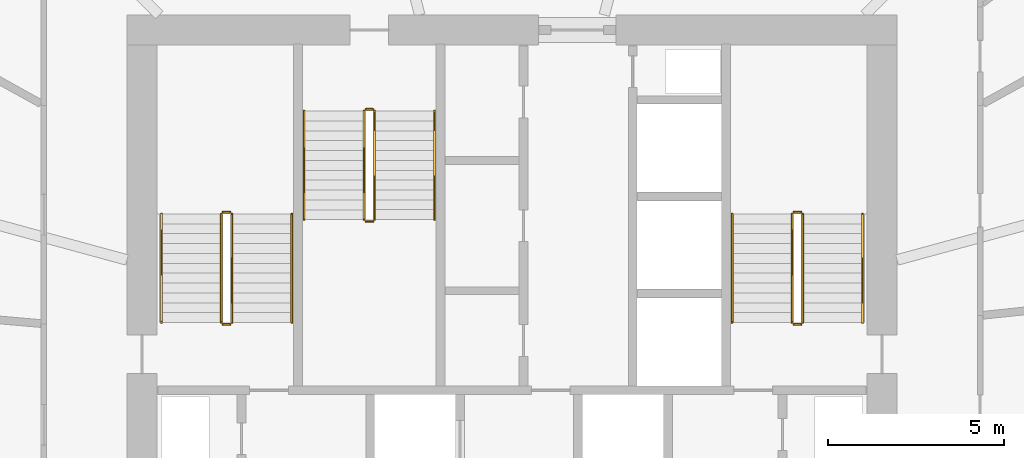
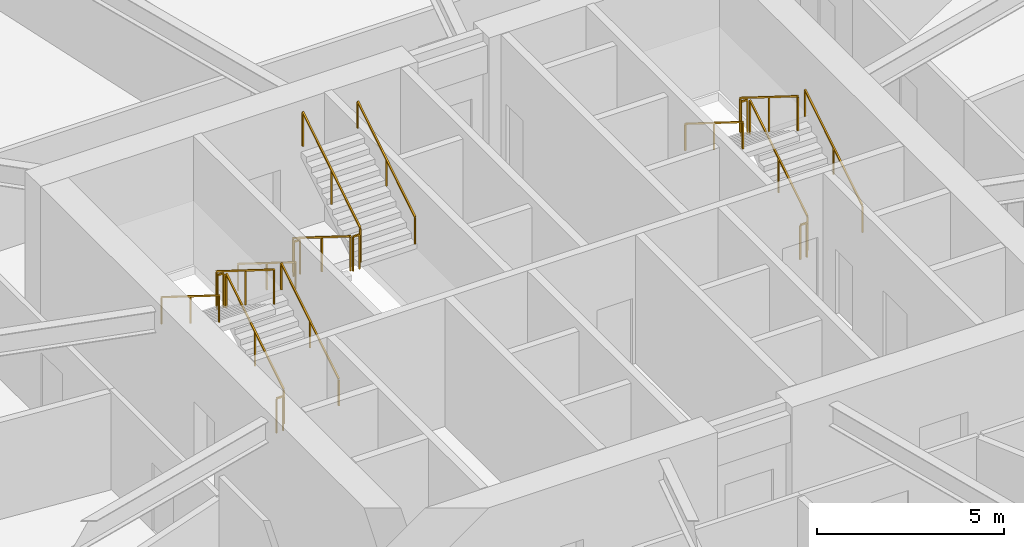
# One storey, part 25 of 25: 18 railings.
"""IFC4 building model written with IfcOpenShell, lengths in metres."""

from ifc_helpers import new_model, si_unit, direction, frame, origin, origin_2d, place, context, subcontext, project, spatial, rectangle, extrude, material, type_object, element, save


model = new_model("IFC4")

# Units and contexts
model_context = context("Model", 3, precision=1e-05, world=origin(), true_north=direction((0.0, 1.0)))
body_context = subcontext(model_context, "Body", "Model", "MODEL_VIEW")
ifc_project = project(units=[si_unit("LENGTHUNIT", "METRE"), si_unit("AREAUNIT", "SQUARE_METRE"), si_unit("VOLUMEUNIT", "CUBIC_METRE"), si_unit("PLANEANGLEUNIT", "RADIAN"), si_unit("MASSUNIT", "GRAM", prefix="KILO")], contexts=[model_context])

# Site, building, storey
site_placement = place(None, origin())
site = spatial("IfcSite", under=ifc_project, at=site_placement, CompositionType="ELEMENT")
building_placement = place(site_placement, origin())
building = spatial("IfcBuilding", under=site, at=building_placement, Name="Zuhravey Tower", CompositionType="ELEMENT")
storey_placement = place(building_placement, frame((0.0, 0.0, 62.39990234375)))
storey = spatial("IfcBuildingStorey", under=building, at=storey_placement, Name="L15", CompositionType="ELEMENT", Elevation=62.39990234375)

# Railings
ifc_material_1 = material(Name="Brushed stainless steel", Category="steel")
railing_type_1 = type_object("IfcRailingType", Name="Stair Wall Handrail 900", PredefinedType="HANDRAIL", material=ifc_material_1)
railing_1_placement = place(storey_placement, frame((29.75, 33.199951171875, 0.175048828125)))
element("IfcRailing", 1, at=railing_1_placement, inside=storey, type_object=railing_type_1, Name="L15 ST1 stair handrail 1", PredefinedType="HANDRAIL", context=body_context, shape_type="SweptSolid", body=[
    extrude(rectangle(XDim=0.048095703125, YDim=0.048095703125, at=origin_2d()), frame((0.0, 0.001708984375, 0.876953125), z_axis=(0.0, 0.847998304005, 0.529998940003), x_axis=(-1.0, 0.0, 0.0)), (0.0, 0.0, 1.0), 3.628173828125),
    extrude(rectangle(XDim=0.0419921875, YDim=0.0419921875, at=origin_2d()), origin(), (0.0, 0.0, 1.0), 0.849853515625),
    extrude(rectangle(XDim=0.0419921875, YDim=0.0419921875, at=origin_2d()), frame((0.0, 1.5400390625, 0.96240234375)), (0.0, 0.0, 1.0), 0.849853515625),
    extrude(rectangle(XDim=0.0419921875, YDim=0.0419921875, at=origin_2d()), frame((0.0, 3.080078125, 1.925048828125)), (0.0, 0.0, 1.0), 0.849853515625),
])
railing_2_placement = place(storey_placement, frame((26.050048828125, 36.280029296875, 2.275146484375)))
element("IfcRailing", 2, at=railing_2_placement, inside=storey, type_object=railing_type_1, Name="L15 ST1 stair handrail 2", PredefinedType="HANDRAIL", context=body_context, shape_type="SweptSolid", body=[
    extrude(rectangle(XDim=0.048095703125, YDim=0.048095703125, at=origin_2d()), frame((0.0, -0.001708984375, 0.876953125), z_axis=(0.0, -0.847998304005, 0.529998940003), x_axis=(1.0, 0.0, 0.0)), (0.0, 0.0, 1.0), 3.628173828125),
    extrude(rectangle(XDim=0.0419921875, YDim=0.0419921875, at=origin_2d()), origin(), (0.0, 0.0, 1.0), 0.849853515625),
    extrude(rectangle(XDim=0.0419921875, YDim=0.0419921875, at=origin_2d()), frame((0.0, -1.5400390625, 0.96240234375)), (0.0, 0.0, 1.0), 0.849853515625),
    extrude(rectangle(XDim=0.0419921875, YDim=0.0419921875, at=origin_2d()), frame((0.0, -3.080078125, 1.925048828125)), (0.0, 0.0, 1.0), 0.849853515625),
])
railing_3_placement = place(storey_placement, frame((45.949951171875, 33.199951171875, 0.175048828125)))
element("IfcRailing", 3, at=railing_3_placement, inside=storey, type_object=railing_type_1, Name="L15 ST2 stair handrail 1", PredefinedType="HANDRAIL", context=body_context, shape_type="SweptSolid", body=[
    extrude(rectangle(XDim=0.048095703125, YDim=0.048095703125, at=origin_2d()), frame((0.0, 0.001708984375, 0.876953125), z_axis=(0.0, 0.847998304005, 0.529998940003), x_axis=(-1.0, 0.0, 0.0)), (0.0, 0.0, 1.0), 3.628173828125),
    extrude(rectangle(XDim=0.0419921875, YDim=0.0419921875, at=origin_2d()), origin(), (0.0, 0.0, 1.0), 0.849853515625),
    extrude(rectangle(XDim=0.0419921875, YDim=0.0419921875, at=origin_2d()), frame((0.0, 1.5400390625, 0.96240234375)), (0.0, 0.0, 1.0), 0.849853515625),
    extrude(rectangle(XDim=0.0419921875, YDim=0.0419921875, at=origin_2d()), frame((0.0, 3.080078125, 1.925048828125)), (0.0, 0.0, 1.0), 0.849853515625),
])
railing_4_placement = place(storey_placement, frame((42.25, 36.280029296875, 2.275146484375)))
element("IfcRailing", 4, at=railing_4_placement, inside=storey, type_object=railing_type_1, Name="L15 ST2 stair handrail 2", PredefinedType="HANDRAIL", context=body_context, shape_type="SweptSolid", body=[
    extrude(rectangle(XDim=0.048095703125, YDim=0.048095703125, at=origin_2d()), frame((0.0, -0.001708984375, 0.876953125), z_axis=(0.0, -0.847998304005, 0.529998940003), x_axis=(1.0, 0.0, 0.0)), (0.0, 0.0, 1.0), 3.628173828125),
    extrude(rectangle(XDim=0.0419921875, YDim=0.0419921875, at=origin_2d()), origin(), (0.0, 0.0, 1.0), 0.849853515625),
    extrude(rectangle(XDim=0.0419921875, YDim=0.0419921875, at=origin_2d()), frame((0.0, -1.5400390625, 0.96240234375)), (0.0, 0.0, 1.0), 0.849853515625),
    extrude(rectangle(XDim=0.0419921875, YDim=0.0419921875, at=origin_2d()), frame((0.0, -3.080078125, 1.925048828125)), (0.0, 0.0, 1.0), 0.849853515625),
])
railing_5_placement = place(storey_placement, frame((30.10009765625, 39.199951171875, 0.175048828125)))
element("IfcRailing", 5, at=railing_5_placement, inside=storey, type_object=railing_type_1, Name="L15 ST3 stair handrail 1", PredefinedType="HANDRAIL", context=body_context, shape_type="SweptSolid", body=[
    extrude(rectangle(XDim=0.048095703125, YDim=0.048095703125, at=origin_2d()), frame((0.0, -0.001708984375, 0.876953125), z_axis=(0.0, -0.847979421464, 0.530029150871), x_axis=(1.0, 0.0, 0.0)), (0.0, 0.0, 1.0), 3.6279296875),
    extrude(rectangle(XDim=0.0419921875, YDim=0.0419921875, at=origin_2d()), origin(), (0.0, 0.0, 1.0), 0.849853515625),
    extrude(rectangle(XDim=0.0419921875, YDim=0.0419921875, at=origin_2d()), frame((0.0, -1.5400390625, 0.96240234375)), (0.0, 0.0, 1.0), 0.849853515625),
    extrude(rectangle(XDim=0.0419921875, YDim=0.0419921875, at=origin_2d()), frame((0.0, -3.079833984375, 1.925048828125)), (0.0, 0.0, 1.0), 0.849853515625),
])
railing_6_placement = place(storey_placement, frame((33.800048828125, 36.1201171875, 2.275146484375)))
element("IfcRailing", 6, at=railing_6_placement, inside=storey, type_object=railing_type_1, Name="L15 ST3 stair handrail 2", PredefinedType="HANDRAIL", context=body_context, shape_type="SweptSolid", body=[
    extrude(rectangle(XDim=0.048095703125, YDim=0.048095703125, at=origin_2d()), frame((0.0, 0.001708984375, 0.876953125), z_axis=(0.0, 0.847979421464, 0.530029150871), x_axis=(-1.0, 0.0, 0.0)), (0.0, 0.0, 1.0), 3.6279296875),
    extrude(rectangle(XDim=0.0419921875, YDim=0.0419921875, at=origin_2d()), origin(), (0.0, 0.0, 1.0), 0.849853515625),
    extrude(rectangle(XDim=0.0419921875, YDim=0.0419921875, at=origin_2d()), frame((0.0, 1.5400390625, 0.96240234375)), (0.0, 0.0, 1.0), 0.849853515625),
    extrude(rectangle(XDim=0.0419921875, YDim=0.0419921875, at=origin_2d()), frame((0.0, 3.079833984375, 1.925048828125)), (0.0, 0.0, 1.0), 0.849853515625),
])
ifc_material_2 = material(Name="Painted tubular steel", Category="steel")
railing_type_2 = type_object("IfcRailingType", Name="Stair Well Guardrail 1150", PredefinedType="GUARDRAIL", material=ifc_material_2)
railing_7_placement = place(storey_placement, frame((28.050048828125, 33.199951171875, 0.175048828125)))
element("IfcRailing", 7, at=railing_7_placement, inside=storey, type_object=railing_type_2, Name="L15 ST1 stair guard 1", PredefinedType="GUARDRAIL", context=body_context, shape_type="SweptSolid", body=[
    extrude(rectangle(XDim=0.048095703125, YDim=0.048095703125, at=origin_2d()), frame((0.0, 0.001708984375, 1.126953125), z_axis=(0.0, 0.847998304005, 0.529998940003), x_axis=(-1.0, 0.0, 0.0)), (0.0, 0.0, 1.0), 3.628173828125),
    extrude(rectangle(XDim=0.0419921875, YDim=0.0419921875, at=origin_2d()), origin(), (0.0, 0.0, 1.0), 1.099853515625),
    extrude(rectangle(XDim=0.0419921875, YDim=0.0419921875, at=origin_2d()), frame((0.0, 1.5400390625, 0.96240234375)), (0.0, 0.0, 1.0), 1.099853515625),
    extrude(rectangle(XDim=0.0419921875, YDim=0.0419921875, at=origin_2d()), frame((0.0, 3.080078125, 1.925048828125)), (0.0, 0.0, 1.0), 1.099853515625),
])
railing_8_placement = place(storey_placement, frame((28.0, 36.330078125, 2.10009765625)))
element("IfcRailing", 8, at=railing_8_placement, inside=storey, type_object=railing_type_2, Name="L15 ST1 stair guard 2", PredefinedType="GUARDRAIL", context=body_context, shape_type="SweptSolid", body=[
    extrude(rectangle(XDim=0.048095703125, YDim=0.048095703125, at=origin_2d()), frame((-0.001953125, 0.0, 1.1259765625), z_axis=(-1.0, 0.0, 0.0), x_axis=(0.0, -1.0, 0.0)), (0.0, 0.0, 1.0), 0.196044921875),
    extrude(rectangle(XDim=0.0419921875, YDim=0.0419921875, at=origin_2d()), origin(), (0.0, 0.0, 1.0), 1.099853515625),
    extrude(rectangle(XDim=0.0419921875, YDim=0.0419921875, at=origin_2d()), frame((-0.199951171875, 0.0, 0.0)), (0.0, 0.0, 1.0), 1.099853515625),
])
railing_9_placement = place(storey_placement, frame((27.75, 36.280029296875, 2.275146484375)))
element("IfcRailing", 9, at=railing_9_placement, inside=storey, type_object=railing_type_2, Name="L15 ST1 stair guard 3", PredefinedType="GUARDRAIL", context=body_context, shape_type="SweptSolid", body=[
    extrude(rectangle(XDim=0.048095703125, YDim=0.048095703125, at=origin_2d()), frame((0.0, -0.001708984375, 1.126953125), z_axis=(0.0, -0.847998304005, 0.529998940003), x_axis=(1.0, 0.0, 0.0)), (0.0, 0.0, 1.0), 3.628173828125),
    extrude(rectangle(XDim=0.0419921875, YDim=0.0419921875, at=origin_2d()), origin(), (0.0, 0.0, 1.0), 1.099853515625),
    extrude(rectangle(XDim=0.0419921875, YDim=0.0419921875, at=origin_2d()), frame((0.0, -1.5400390625, 0.96240234375)), (0.0, 0.0, 1.0), 1.099853515625),
    extrude(rectangle(XDim=0.0419921875, YDim=0.0419921875, at=origin_2d()), frame((0.0, -3.080078125, 1.925048828125)), (0.0, 0.0, 1.0), 1.099853515625),
])
railing_10_placement = place(storey_placement, frame((28.0, 33.14990234375, 0.0)))
element("IfcRailing", 10, at=railing_10_placement, inside=storey, type_object=railing_type_2, Name="L15 ST1 stair guard 4", PredefinedType="GUARDRAIL", context=body_context, shape_type="SweptSolid", body=[
    extrude(rectangle(XDim=0.048095703125, YDim=0.048095703125, at=origin_2d()), frame((-0.001953125, 0.0, 1.1259765625), z_axis=(-1.0, 0.0, 0.0), x_axis=(0.0, -1.0, 0.0)), (0.0, 0.0, 1.0), 0.196044921875),
    extrude(rectangle(XDim=0.0419921875, YDim=0.0419921875, at=origin_2d()), origin(), (0.0, 0.0, 1.0), 1.099853515625),
    extrude(rectangle(XDim=0.0419921875, YDim=0.0419921875, at=origin_2d()), frame((-0.199951171875, 0.0, 0.0)), (0.0, 0.0, 1.0), 1.099853515625),
])
railing_11_placement = place(storey_placement, frame((44.25, 33.199951171875, 0.175048828125)))
element("IfcRailing", 11, at=railing_11_placement, inside=storey, type_object=railing_type_2, Name="L15 ST2 stair guard 1", PredefinedType="GUARDRAIL", context=body_context, shape_type="SweptSolid", body=[
    extrude(rectangle(XDim=0.048095703125, YDim=0.048095703125, at=origin_2d()), frame((0.0, 0.001708984375, 1.126953125), z_axis=(0.0, 0.847998304005, 0.529998940003), x_axis=(-1.0, 0.0, 0.0)), (0.0, 0.0, 1.0), 3.628173828125),
    extrude(rectangle(XDim=0.0419921875, YDim=0.0419921875, at=origin_2d()), origin(), (0.0, 0.0, 1.0), 1.099853515625),
    extrude(rectangle(XDim=0.0419921875, YDim=0.0419921875, at=origin_2d()), frame((0.0, 1.5400390625, 0.96240234375)), (0.0, 0.0, 1.0), 1.099853515625),
    extrude(rectangle(XDim=0.0419921875, YDim=0.0419921875, at=origin_2d()), frame((0.0, 3.080078125, 1.925048828125)), (0.0, 0.0, 1.0), 1.099853515625),
])
railing_12_placement = place(storey_placement, frame((44.199951171875, 36.330078125, 2.10009765625)))
element("IfcRailing", 12, at=railing_12_placement, inside=storey, type_object=railing_type_2, Name="L15 ST2 stair guard 2", PredefinedType="GUARDRAIL", context=body_context, shape_type="SweptSolid", body=[
    extrude(rectangle(XDim=0.048095703125, YDim=0.048095703125, at=origin_2d()), frame((-0.001953125, 0.0, 1.1259765625), z_axis=(-1.0, 0.0, 0.0), x_axis=(0.0, -1.0, 0.0)), (0.0, 0.0, 1.0), 0.196044921875),
    extrude(rectangle(XDim=0.0419921875, YDim=0.0419921875, at=origin_2d()), origin(), (0.0, 0.0, 1.0), 1.099853515625),
    extrude(rectangle(XDim=0.0419921875, YDim=0.0419921875, at=origin_2d()), frame((-0.199951171875, 0.0, 0.0)), (0.0, 0.0, 1.0), 1.099853515625),
])
railing_13_placement = place(storey_placement, frame((43.949951171875, 36.280029296875, 2.275146484375)))
element("IfcRailing", 13, at=railing_13_placement, inside=storey, type_object=railing_type_2, Name="L15 ST2 stair guard 3", PredefinedType="GUARDRAIL", context=body_context, shape_type="SweptSolid", body=[
    extrude(rectangle(XDim=0.048095703125, YDim=0.048095703125, at=origin_2d()), frame((0.0, -0.001708984375, 1.126953125), z_axis=(0.0, -0.847998304005, 0.529998940003), x_axis=(1.0, 0.0, 0.0)), (0.0, 0.0, 1.0), 3.628173828125),
    extrude(rectangle(XDim=0.0419921875, YDim=0.0419921875, at=origin_2d()), origin(), (0.0, 0.0, 1.0), 1.099853515625),
    extrude(rectangle(XDim=0.0419921875, YDim=0.0419921875, at=origin_2d()), frame((0.0, -1.5400390625, 0.96240234375)), (0.0, 0.0, 1.0), 1.099853515625),
    extrude(rectangle(XDim=0.0419921875, YDim=0.0419921875, at=origin_2d()), frame((0.0, -3.080078125, 1.925048828125)), (0.0, 0.0, 1.0), 1.099853515625),
])
railing_14_placement = place(storey_placement, frame((44.199951171875, 33.14990234375, 0.0)))
element("IfcRailing", 14, at=railing_14_placement, inside=storey, type_object=railing_type_2, Name="L15 ST2 stair guard 4", PredefinedType="GUARDRAIL", context=body_context, shape_type="SweptSolid", body=[
    extrude(rectangle(XDim=0.048095703125, YDim=0.048095703125, at=origin_2d()), frame((-0.001953125, 0.0, 1.1259765625), z_axis=(-1.0, 0.0, 0.0), x_axis=(0.0, -1.0, 0.0)), (0.0, 0.0, 1.0), 0.196044921875),
    extrude(rectangle(XDim=0.0419921875, YDim=0.0419921875, at=origin_2d()), origin(), (0.0, 0.0, 1.0), 1.099853515625),
    extrude(rectangle(XDim=0.0419921875, YDim=0.0419921875, at=origin_2d()), frame((-0.199951171875, 0.0, 0.0)), (0.0, 0.0, 1.0), 1.099853515625),
])
railing_15_placement = place(storey_placement, frame((31.800048828125, 39.199951171875, 0.175048828125)))
element("IfcRailing", 15, at=railing_15_placement, inside=storey, type_object=railing_type_2, Name="L15 ST3 stair guard 1", PredefinedType="GUARDRAIL", context=body_context, shape_type="SweptSolid", body=[
    extrude(rectangle(XDim=0.048095703125, YDim=0.048095703125, at=origin_2d()), frame((0.0, -0.001708984375, 1.126953125), z_axis=(0.0, -0.847979421464, 0.530029150871), x_axis=(1.0, 0.0, 0.0)), (0.0, 0.0, 1.0), 3.6279296875),
    extrude(rectangle(XDim=0.0419921875, YDim=0.0419921875, at=origin_2d()), origin(), (0.0, 0.0, 1.0), 1.099853515625),
    extrude(rectangle(XDim=0.0419921875, YDim=0.0419921875, at=origin_2d()), frame((0.0, -1.5400390625, 0.96240234375)), (0.0, 0.0, 1.0), 1.099853515625),
    extrude(rectangle(XDim=0.0419921875, YDim=0.0419921875, at=origin_2d()), frame((0.0, -3.079833984375, 1.925048828125)), (0.0, 0.0, 1.0), 1.099853515625),
])
railing_16_placement = place(storey_placement, frame((31.85009765625, 36.070068359375, 2.10009765625)))
element("IfcRailing", 16, at=railing_16_placement, inside=storey, type_object=railing_type_2, Name="L15 ST3 stair guard 2", PredefinedType="GUARDRAIL", context=body_context, shape_type="SweptSolid", body=[
    extrude(rectangle(XDim=0.048095703125, YDim=0.048095703125, at=origin_2d()), frame((0.001953125, 0.0, 1.1259765625), z_axis=(1.0, 0.0, 0.0), x_axis=(0.0, 1.0, 0.0)), (0.0, 0.0, 1.0), 0.196044921875),
    extrude(rectangle(XDim=0.0419921875, YDim=0.0419921875, at=origin_2d()), origin(), (0.0, 0.0, 1.0), 1.099853515625),
    extrude(rectangle(XDim=0.0419921875, YDim=0.0419921875, at=origin_2d()), frame((0.199951171875, 0.0, 0.0)), (0.0, 0.0, 1.0), 1.099853515625),
])
railing_17_placement = place(storey_placement, frame((32.10009765625, 36.1201171875, 2.275146484375)))
element("IfcRailing", 17, at=railing_17_placement, inside=storey, type_object=railing_type_2, Name="L15 ST3 stair guard 3", PredefinedType="GUARDRAIL", context=body_context, shape_type="SweptSolid", body=[
    extrude(rectangle(XDim=0.048095703125, YDim=0.048095703125, at=origin_2d()), frame((0.0, 0.001708984375, 1.126953125), z_axis=(0.0, 0.847979421464, 0.530029150871), x_axis=(-1.0, 0.0, 0.0)), (0.0, 0.0, 1.0), 3.6279296875),
    extrude(rectangle(XDim=0.0419921875, YDim=0.0419921875, at=origin_2d()), origin(), (0.0, 0.0, 1.0), 1.099853515625),
    extrude(rectangle(XDim=0.0419921875, YDim=0.0419921875, at=origin_2d()), frame((0.0, 1.5400390625, 0.96240234375)), (0.0, 0.0, 1.0), 1.099853515625),
    extrude(rectangle(XDim=0.0419921875, YDim=0.0419921875, at=origin_2d()), frame((0.0, 3.079833984375, 1.925048828125)), (0.0, 0.0, 1.0), 1.099853515625),
])
railing_18_placement = place(storey_placement, frame((31.85009765625, 39.25, 0.0)))
element("IfcRailing", 18, at=railing_18_placement, inside=storey, type_object=railing_type_2, Name="L15 ST3 stair guard 4", PredefinedType="GUARDRAIL", context=body_context, shape_type="SweptSolid", body=[
    extrude(rectangle(XDim=0.048095703125, YDim=0.048095703125, at=origin_2d()), frame((0.001953125, 0.0, 1.1259765625), z_axis=(1.0, 0.0, 0.0), x_axis=(0.0, 1.0, 0.0)), (0.0, 0.0, 1.0), 0.196044921875),
    extrude(rectangle(XDim=0.0419921875, YDim=0.0419921875, at=origin_2d()), origin(), (0.0, 0.0, 1.0), 1.099853515625),
    extrude(rectangle(XDim=0.0419921875, YDim=0.0419921875, at=origin_2d()), frame((0.199951171875, 0.0, 0.0)), (0.0, 0.0, 1.0), 1.099853515625),
])

save(model, "model.ifc")
